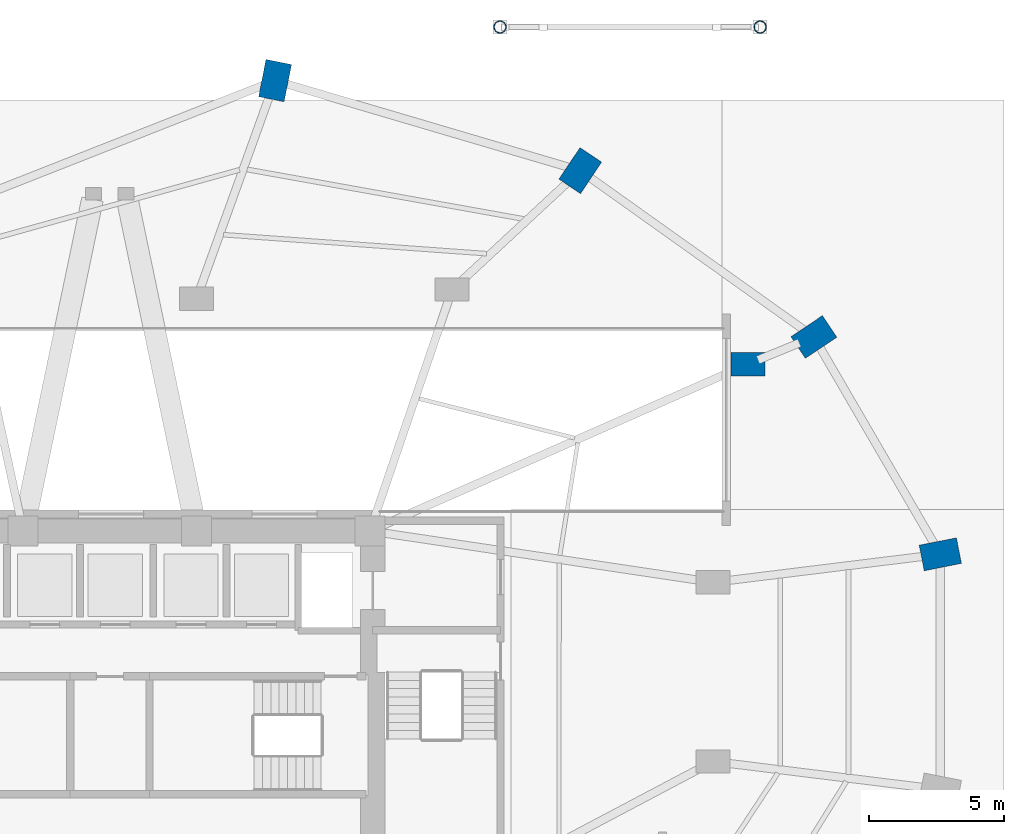
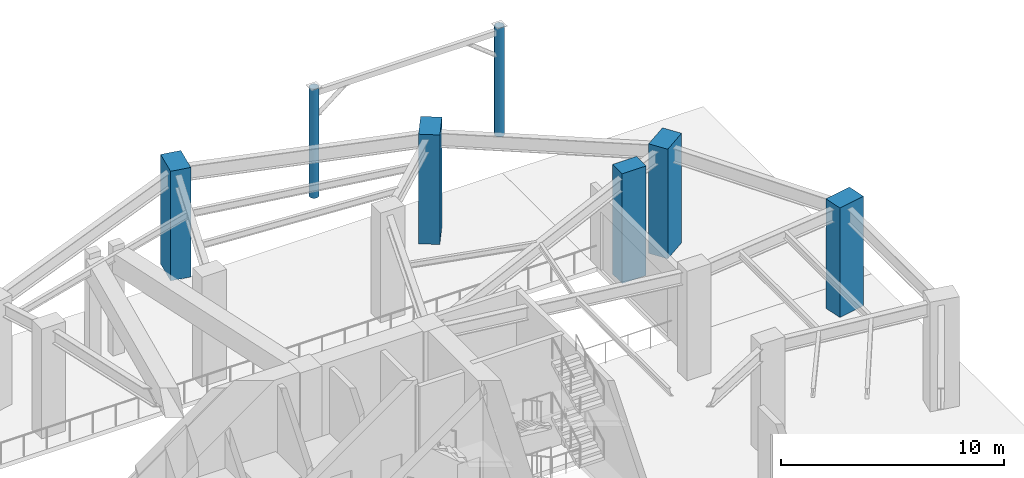
# One storey, part 4 of 14: 7 columns.
"""IFC4 building model written with IfcOpenShell, lengths in metres."""

from ifc_helpers import new_model, si_unit, direction, frame, origin, origin_2d, place, context, subcontext, project, spatial, rectangle, hollow_circle, extrude, material, material_profile, profile_set, type_object, element, save


model = new_model("IFC4")

# Units and contexts
model_context = context("Model", 3, precision=1e-05, world=origin(), true_north=direction((0.0, 1.0)))
body_context = subcontext(model_context, "Body", "Model", "MODEL_VIEW")
ifc_project = project(units=[si_unit("LENGTHUNIT", "METRE"), si_unit("AREAUNIT", "SQUARE_METRE"), si_unit("VOLUMEUNIT", "CUBIC_METRE"), si_unit("PLANEANGLEUNIT", "RADIAN"), si_unit("MASSUNIT", "GRAM", prefix="KILO")], contexts=[model_context])

# Site, building, storey
site_placement = place(None, origin())
site = spatial("IfcSite", under=ifc_project, at=site_placement, CompositionType="ELEMENT")
building_placement = place(site_placement, origin())
building = spatial("IfcBuilding", under=site, at=building_placement, Name="Lazwardi Medical Tower", CompositionType="ELEMENT")
storey_placement = place(building_placement, origin())
storey = spatial("IfcBuildingStorey", under=building, at=storey_placement, Name="L00", CompositionType="ELEMENT", Elevation=0.0)

# Columns
ifc_material_1 = material(Name="Steel S355", Category="steel")
ifc_material_profile_1 = material_profile(ifc_material_1, hollow_circle(Radius=0.228515625, WallThickness=0.02001953125, at=origin_2d()), Name="CHS 457x20")
ifc_profile_set_1 = profile_set([ifc_material_profile_1], Name="Steel S355")
column_type_1 = type_object("IfcColumnType", Name="COL-CN-01", PredefinedType="COLUMN", material=ifc_profile_set_1)
for number, where, z_axis, x_axis, name in (
    (1, (50.39990234375, 54.199951171875, 0.0), (0.0, 0.0, 1.0), (1.0, 0.0, 0.0), "Entrance canopy column CN-C1 CN7"),
    (2, (60.0, 54.199951171875, 0.0), (0.0, 0.0, 1.0), (1.0, 0.0, 0.0), "Entrance canopy column CN-C1 CN8"),
):
    element("IfcColumn", number, at=place(storey_placement, frame(where, z_axis=z_axis, x_axis=x_axis)), inside=storey, type_object=column_type_1, Name=name, PredefinedType="COLUMN", context=body_context, shape_type="SweptSolid", body=[
        extrude(hollow_circle(Radius=0.228515625, WallThickness=0.02001953125, at=origin_2d()), origin(), (0.0, 0.0, 1.0), 5.968017578125),
    ])
ifc_material_2 = material(Name="Concrete C80/95", Category="concrete")
ifc_material_profile_2 = material_profile(ifc_material_2, rectangle(XDim=1.39990234375, YDim=0.9599609375, at=origin_2d()), Name="CFT-RECT 1400x960")
ifc_profile_set_2 = profile_set([ifc_material_profile_2], Name="Concrete C80/95")
column_type_2 = type_object("IfcColumnType", Name="COL-MC-B1", PredefinedType="COLUMN", material=ifc_profile_set_2)
for number, where, z_axis, x_axis, name in (
    (3, (66.6494140625, 34.74072265625, 0.0), (0.0, 0.0, 1.0), (0.980785280403, 0.195090322016, 0.0), "Mega column MC-01 M05 L00"),
    (4, (61.9833984375, 42.761474609375, 0.0), (0.0, 0.0, 1.0), (0.831469612303, 0.55557023302, 0.0), "Mega column MC-01 M06 L00"),
    (5, (53.361572265625, 48.900146484375, 0.0), (0.0, 0.0, 1.0), (0.55557023302, 0.831469612303, 0.0), "Mega column MC-01 M07 L00"),
    (6, (42.0966796875, 52.222412109375, 0.0), (0.0, 0.0, 1.0), (0.195090322016, 0.980785280403, 0.0), "Mega column MC-01 M08 L00"),
):
    element("IfcColumn", number, at=place(storey_placement, frame(where, z_axis=z_axis, x_axis=x_axis)), inside=storey, type_object=column_type_2, Name=name, PredefinedType="COLUMN", context=body_context, shape_type="SweptSolid", body=[
        extrude(rectangle(XDim=1.39990234375, YDim=0.9599609375, at=origin_2d()), origin(), (0.0, 0.0, 1.0), 6.0),
    ])
ifc_material_3 = material(Name="Concrete C70/85", Category="concrete")
ifc_material_profile_3 = material_profile(ifc_material_3, rectangle(XDim=1.25, YDim=0.860107421875, at=origin_2d()), Name="CFT-RECT 1250x860")
ifc_profile_set_3 = profile_set([ifc_material_profile_3], Name="Concrete C70/85")
column_type_3 = type_object("IfcColumnType", Name="COL-MC-Z1", PredefinedType="COLUMN", material=ifc_profile_set_3)
column_placement = place(storey_placement, frame((59.550048828125, 41.760009765625, 0.0), z_axis=(0.0, 0.0, 1.0), x_axis=(1.0, 0.0, 0.0)))
element("IfcColumn", 7, at=column_placement, inside=storey, type_object=column_type_3, Name="Mega column MC-03 PM06 L00", PredefinedType="COLUMN", context=body_context, shape_type="SweptSolid", body=[
    extrude(rectangle(XDim=1.25, YDim=0.860107421875, at=origin_2d()), origin(), (0.0, 0.0, 1.0), 6.0),
])

save(model, "model.ifc")
